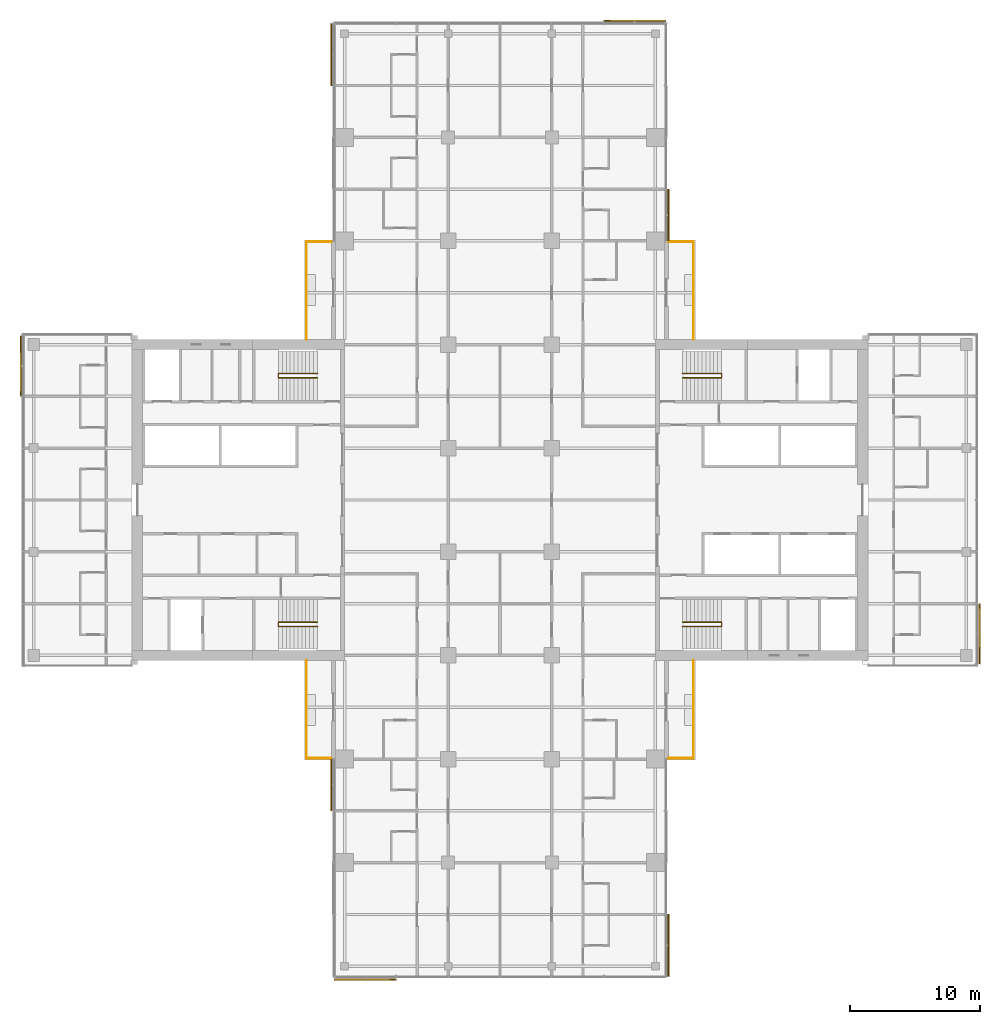
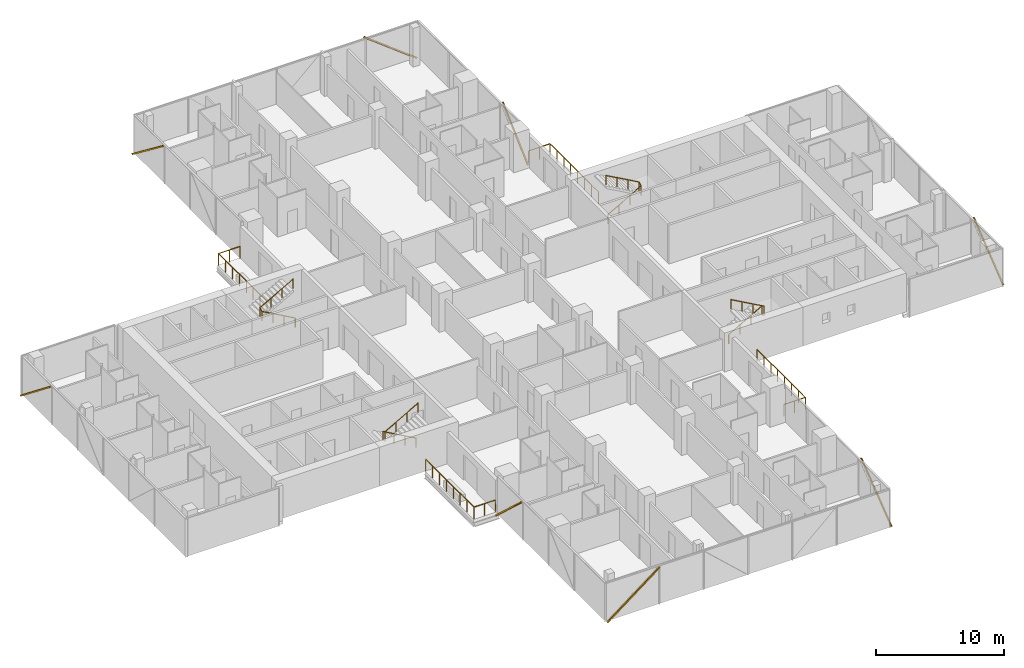
# One storey, part 27 of 27: 8 railings, 8 shading devices, 8 elements without a shape of their own.
"""IFC4 building model written with IfcOpenShell, lengths in metres."""

from ifc_helpers import new_model, si_unit, direction, frame, origin, origin_2d, place, context, subcontext, project, spatial, rectangle, circle, extrude, material, material_profile, profile_set, type_object, element, aggregate, save


model = new_model("IFC4")

# Units and contexts
model_context = context("Model", 3, precision=1e-05, world=origin(), true_north=direction((0.0, 1.0)))
body_context = subcontext(model_context, "Body", "Model", "MODEL_VIEW")
ifc_project = project(units=[si_unit("LENGTHUNIT", "METRE"), si_unit("AREAUNIT", "SQUARE_METRE"), si_unit("VOLUMEUNIT", "CUBIC_METRE"), si_unit("PLANEANGLEUNIT", "RADIAN"), si_unit("MASSUNIT", "GRAM", prefix="KILO")], contexts=[model_context])

# Site, building, storey
site_placement = place(None, origin())
site = spatial("IfcSite", under=ifc_project, at=site_placement, CompositionType="ELEMENT")
building_placement = place(site_placement, origin())
building = spatial("IfcBuilding", under=site, at=building_placement, Name="Crosswind Convention Tower", CompositionType="ELEMENT")
storey_placement = place(building_placement, frame((0.0, 0.0, 72.0)))
storey = spatial("IfcBuildingStorey", under=building, at=storey_placement, Name="L12", CompositionType="ELEMENT", Elevation=72.0)

# Railings
ifc_material_1 = material(Name="Steel and laminated glass balustrade", Category="steel")
railing_type_1 = type_object("IfcRailingType", Name="BALCONY BALUSTRADE 1150", PredefinedType="BALUSTRADE", material=ifc_material_1)
railing_1_placement = place(storey_placement, frame((139.93994140625, 112.39990234375, 0.0)))
element("IfcRailing", 1, at=railing_1_placement, inside=storey, type_object=railing_type_1, Name="R11 balcony balustrade L12 N-E.1-1", PredefinedType="BALUSTRADE", context=body_context, shape_type="SweptSolid", body=[
    extrude(circle(Radius=0.02392578125, at=origin_2d()), frame((0.0, 0.0, 1.1259765625), z_axis=(0.0, 1.0, 0.0), x_axis=(-1.0, 0.0, 0.0)), (0.0, 0.0, 1.0), 7.5400390625),
    extrude(circle(Radius=0.02392578125, at=origin_2d()), frame((0.0, 7.5400390625, 1.1259765625), z_axis=(-1.0, 0.0, 0.0), x_axis=(0.0, -1.0, 0.0)), (0.0, 0.0, 1.0), 1.9189453125),
    extrude(circle(Radius=0.02099609375, at=origin_2d()), origin(), (0.0, 0.0, 1.0), 1.101806640625),
    extrude(circle(Radius=0.02099609375, at=origin_2d()), frame((0.0, 1.0771484375, 0.0)), (0.0, 0.0, 1.0), 1.101806640625),
    extrude(circle(Radius=0.02099609375, at=origin_2d()), frame((0.0, 2.154296875, 0.0)), (0.0, 0.0, 1.0), 1.101806640625),
    extrude(circle(Radius=0.02099609375, at=origin_2d()), frame((0.0, 3.2314453125, 0.0)), (0.0, 0.0, 1.0), 1.101806640625),
    extrude(circle(Radius=0.02099609375, at=origin_2d()), frame((0.0, 4.30859375, 0.0)), (0.0, 0.0, 1.0), 1.101806640625),
    extrude(circle(Radius=0.02099609375, at=origin_2d()), frame((0.0, 5.3857421875, 0.0)), (0.0, 0.0, 1.0), 1.101806640625),
    extrude(circle(Radius=0.02099609375, at=origin_2d()), frame((0.0, 6.462890625, 0.0)), (0.0, 0.0, 1.0), 1.101806640625),
    extrude(circle(Radius=0.02099609375, at=origin_2d()), frame((0.0, 7.5400390625, 0.0)), (0.0, 0.0, 1.0), 1.101806640625),
    extrude(circle(Radius=0.02099609375, at=origin_2d()), frame((-0.95947265625, 7.5400390625, 0.0)), (0.0, 0.0, 1.0), 1.101806640625),
    extrude(circle(Radius=0.02099609375, at=origin_2d()), frame((-1.9189453125, 7.5400390625, 0.0)), (0.0, 0.0, 1.0), 1.101806640625),
])
railing_2_placement = place(storey_placement, frame((110.06005859375, 112.39990234375, 0.0)))
element("IfcRailing", 2, at=railing_2_placement, inside=storey, type_object=railing_type_1, Name="R11 balcony balustrade L12 N-W.1-3", PredefinedType="BALUSTRADE", context=body_context, shape_type="SweptSolid", body=[
    extrude(circle(Radius=0.02392578125, at=origin_2d()), frame((0.0, 0.0, 1.1259765625), z_axis=(0.0, 1.0, 0.0), x_axis=(-1.0, 0.0, 0.0)), (0.0, 0.0, 1.0), 7.5400390625),
    extrude(circle(Radius=0.02392578125, at=origin_2d()), frame((0.0, 7.5400390625, 1.1259765625), z_axis=(1.0, 0.0, 0.0), x_axis=(0.0, 1.0, 0.0)), (0.0, 0.0, 1.0), 1.9189453125),
    extrude(circle(Radius=0.02099609375, at=origin_2d()), origin(), (0.0, 0.0, 1.0), 1.101806640625),
    extrude(circle(Radius=0.02099609375, at=origin_2d()), frame((0.0, 1.0771484375, 0.0)), (0.0, 0.0, 1.0), 1.101806640625),
    extrude(circle(Radius=0.02099609375, at=origin_2d()), frame((0.0, 2.154296875, 0.0)), (0.0, 0.0, 1.0), 1.101806640625),
    extrude(circle(Radius=0.02099609375, at=origin_2d()), frame((0.0, 3.2314453125, 0.0)), (0.0, 0.0, 1.0), 1.101806640625),
    extrude(circle(Radius=0.02099609375, at=origin_2d()), frame((0.0, 4.30859375, 0.0)), (0.0, 0.0, 1.0), 1.101806640625),
    extrude(circle(Radius=0.02099609375, at=origin_2d()), frame((0.0, 5.3857421875, 0.0)), (0.0, 0.0, 1.0), 1.101806640625),
    extrude(circle(Radius=0.02099609375, at=origin_2d()), frame((0.0, 6.462890625, 0.0)), (0.0, 0.0, 1.0), 1.101806640625),
    extrude(circle(Radius=0.02099609375, at=origin_2d()), frame((0.0, 7.5400390625, 0.0)), (0.0, 0.0, 1.0), 1.101806640625),
    extrude(circle(Radius=0.02099609375, at=origin_2d()), frame((0.95947265625, 7.5400390625, 0.0)), (0.0, 0.0, 1.0), 1.101806640625),
    extrude(circle(Radius=0.02099609375, at=origin_2d()), frame((1.9189453125, 7.5400390625, 0.0)), (0.0, 0.0, 1.0), 1.101806640625),
])
railing_3_placement = place(storey_placement, frame((110.06005859375, 87.60009765625, 0.0)))
element("IfcRailing", 3, at=railing_3_placement, inside=storey, type_object=railing_type_1, Name="R11 balcony balustrade L12 S-W.1-1", PredefinedType="BALUSTRADE", context=body_context, shape_type="SweptSolid", body=[
    extrude(circle(Radius=0.02392578125, at=origin_2d()), frame((0.0, 0.0, 1.1259765625), z_axis=(0.0, -1.0, 0.0), x_axis=(1.0, 0.0, 0.0)), (0.0, 0.0, 1.0), 7.5400390625),
    extrude(circle(Radius=0.02392578125, at=origin_2d()), frame((0.0, -7.5400390625, 1.1259765625), z_axis=(1.0, 0.0, 0.0), x_axis=(0.0, 1.0, 0.0)), (0.0, 0.0, 1.0), 1.9189453125),
    extrude(circle(Radius=0.02099609375, at=origin_2d()), origin(), (0.0, 0.0, 1.0), 1.101806640625),
    extrude(circle(Radius=0.02099609375, at=origin_2d()), frame((0.0, -1.0771484375, 0.0)), (0.0, 0.0, 1.0), 1.101806640625),
    extrude(circle(Radius=0.02099609375, at=origin_2d()), frame((0.0, -2.154296875, 0.0)), (0.0, 0.0, 1.0), 1.101806640625),
    extrude(circle(Radius=0.02099609375, at=origin_2d()), frame((0.0, -3.2314453125, 0.0)), (0.0, 0.0, 1.0), 1.101806640625),
    extrude(circle(Radius=0.02099609375, at=origin_2d()), frame((0.0, -4.30859375, 0.0)), (0.0, 0.0, 1.0), 1.101806640625),
    extrude(circle(Radius=0.02099609375, at=origin_2d()), frame((0.0, -5.3857421875, 0.0)), (0.0, 0.0, 1.0), 1.101806640625),
    extrude(circle(Radius=0.02099609375, at=origin_2d()), frame((0.0, -6.462890625, 0.0)), (0.0, 0.0, 1.0), 1.101806640625),
    extrude(circle(Radius=0.02099609375, at=origin_2d()), frame((0.0, -7.5400390625, 0.0)), (0.0, 0.0, 1.0), 1.101806640625),
    extrude(circle(Radius=0.02099609375, at=origin_2d()), frame((0.95947265625, -7.5400390625, 0.0)), (0.0, 0.0, 1.0), 1.101806640625),
    extrude(circle(Radius=0.02099609375, at=origin_2d()), frame((1.9189453125, -7.5400390625, 0.0)), (0.0, 0.0, 1.0), 1.101806640625),
])
railing_4_placement = place(storey_placement, frame((139.93994140625, 87.60009765625, 0.0)))
element("IfcRailing", 4, at=railing_4_placement, inside=storey, type_object=railing_type_1, Name="R11 balcony balustrade L12 S-E.1-3", PredefinedType="BALUSTRADE", context=body_context, shape_type="SweptSolid", body=[
    extrude(circle(Radius=0.02392578125, at=origin_2d()), frame((0.0, 0.0, 1.1259765625), z_axis=(0.0, -1.0, 0.0), x_axis=(1.0, 0.0, 0.0)), (0.0, 0.0, 1.0), 7.5400390625),
    extrude(circle(Radius=0.02392578125, at=origin_2d()), frame((0.0, -7.5400390625, 1.1259765625), z_axis=(-1.0, 0.0, 0.0), x_axis=(0.0, -1.0, 0.0)), (0.0, 0.0, 1.0), 1.9189453125),
    extrude(circle(Radius=0.02099609375, at=origin_2d()), origin(), (0.0, 0.0, 1.0), 1.101806640625),
    extrude(circle(Radius=0.02099609375, at=origin_2d()), frame((0.0, -1.0771484375, 0.0)), (0.0, 0.0, 1.0), 1.101806640625),
    extrude(circle(Radius=0.02099609375, at=origin_2d()), frame((0.0, -2.154296875, 0.0)), (0.0, 0.0, 1.0), 1.101806640625),
    extrude(circle(Radius=0.02099609375, at=origin_2d()), frame((0.0, -3.2314453125, 0.0)), (0.0, 0.0, 1.0), 1.101806640625),
    extrude(circle(Radius=0.02099609375, at=origin_2d()), frame((0.0, -4.30859375, 0.0)), (0.0, 0.0, 1.0), 1.101806640625),
    extrude(circle(Radius=0.02099609375, at=origin_2d()), frame((0.0, -5.3857421875, 0.0)), (0.0, 0.0, 1.0), 1.101806640625),
    extrude(circle(Radius=0.02099609375, at=origin_2d()), frame((0.0, -6.462890625, 0.0)), (0.0, 0.0, 1.0), 1.101806640625),
    extrude(circle(Radius=0.02099609375, at=origin_2d()), frame((0.0, -7.5400390625, 0.0)), (0.0, 0.0, 1.0), 1.101806640625),
    extrude(circle(Radius=0.02099609375, at=origin_2d()), frame((-0.95947265625, -7.5400390625, 0.0)), (0.0, 0.0, 1.0), 1.101806640625),
    extrude(circle(Radius=0.02099609375, at=origin_2d()), frame((-1.9189453125, -7.5400390625, 0.0)), (0.0, 0.0, 1.0), 1.101806640625),
])
ifc_material_2 = material(Name="Stainless steel", Category="steel")
railing_type_2 = type_object("IfcRailingType", Name="Stair handrail 900", PredefinedType="HANDRAIL", material=ifc_material_2)
railing_5_placement = place(storey_placement, frame((139.10009765625, 109.43994140625, 0.168212890625)))
element("IfcRailing", 5, at=railing_5_placement, inside=storey, type_object=railing_type_2, Name="Stair ST1 handrail L12", PredefinedType="HANDRAIL", context=body_context, shape_type="SweptSolid", body=[
    extrude(circle(Radius=0.02392578125, at=origin_2d()), frame((0.0, 0.0, 0.8759765625), z_axis=(0.872272294576, 0.0, 0.489020494575), x_axis=(0.0, 1.0, 0.0)), (0.0, 0.0, 1.0), 3.439208984375),
    extrude(circle(Radius=0.02392578125, at=origin_2d()), frame((3.0, 0.0, 2.5576171875), z_axis=(0.0, 0.885474334664, 0.464688285468), x_axis=(-1.0, 0.0, 0.0)), (0.0, 0.0, 1.0), 0.361572265625),
    extrude(circle(Radius=0.02392578125, at=origin_2d()), frame((3.0, 0.320068359375, 2.7255859375), z_axis=(-0.872272294576, 0.0, 0.489020494575), x_axis=(0.0, -1.0, 0.0)), (0.0, 0.0, 1.0), 3.439208984375),
    extrude(circle(Radius=0.02099609375, at=origin_2d()), origin(), (0.0, 0.0, 1.0), 0.851806640625),
    extrude(circle(Radius=0.02099609375, at=origin_2d()), frame((1.0, 0.0, 0.560546875)), (0.0, 0.0, 1.0), 0.851806640625),
    extrude(circle(Radius=0.02099609375, at=origin_2d()), frame((2.0, 0.0, 1.121337890625)), (0.0, 0.0, 1.0), 0.851806640625),
    extrude(circle(Radius=0.02099609375, at=origin_2d()), frame((3.0, 0.0, 1.681884765625)), (0.0, 0.0, 1.0), 0.851806640625),
    extrude(circle(Radius=0.02099609375, at=origin_2d()), frame((3.0, 0.320068359375, 1.849853515625)), (0.0, 0.0, 1.0), 0.851806640625),
    extrude(circle(Radius=0.02099609375, at=origin_2d()), frame((2.0, 0.320068359375, 2.410400390625)), (0.0, 0.0, 1.0), 0.851806640625),
    extrude(circle(Radius=0.02099609375, at=origin_2d()), frame((1.0, 0.320068359375, 2.97119140625)), (0.0, 0.0, 1.0), 0.851806640625),
    extrude(circle(Radius=0.02099609375, at=origin_2d()), frame((0.0, 0.320068359375, 3.53173828125)), (0.0, 0.0, 1.0), 0.851806640625),
])
railing_6_placement = place(storey_placement, frame((139.10009765625, 90.56005859375, 0.168212890625)))
element("IfcRailing", 6, at=railing_6_placement, inside=storey, type_object=railing_type_2, Name="Stair ST2 handrail L12", PredefinedType="HANDRAIL", context=body_context, shape_type="SweptSolid", body=[
    extrude(circle(Radius=0.02392578125, at=origin_2d()), frame((0.0, 0.0, 0.8759765625), z_axis=(0.872272294576, 0.0, 0.489020494575), x_axis=(0.0, 1.0, 0.0)), (0.0, 0.0, 1.0), 3.439208984375),
    extrude(circle(Radius=0.02392578125, at=origin_2d()), frame((3.0, 0.0, 2.5576171875), z_axis=(0.0, -0.885474334664, 0.464688285468), x_axis=(1.0, 0.0, 0.0)), (0.0, 0.0, 1.0), 0.361572265625),
    extrude(circle(Radius=0.02392578125, at=origin_2d()), frame((3.0, -0.320068359375, 2.7255859375), z_axis=(-0.872272294576, 0.0, 0.489020494575), x_axis=(0.0, -1.0, 0.0)), (0.0, 0.0, 1.0), 3.439208984375),
    extrude(circle(Radius=0.02099609375, at=origin_2d()), origin(), (0.0, 0.0, 1.0), 0.851806640625),
    extrude(circle(Radius=0.02099609375, at=origin_2d()), frame((1.0, 0.0, 0.560546875)), (0.0, 0.0, 1.0), 0.851806640625),
    extrude(circle(Radius=0.02099609375, at=origin_2d()), frame((2.0, 0.0, 1.121337890625)), (0.0, 0.0, 1.0), 0.851806640625),
    extrude(circle(Radius=0.02099609375, at=origin_2d()), frame((3.0, 0.0, 1.681884765625)), (0.0, 0.0, 1.0), 0.851806640625),
    extrude(circle(Radius=0.02099609375, at=origin_2d()), frame((3.0, -0.320068359375, 1.849853515625)), (0.0, 0.0, 1.0), 0.851806640625),
    extrude(circle(Radius=0.02099609375, at=origin_2d()), frame((2.0, -0.320068359375, 2.410400390625)), (0.0, 0.0, 1.0), 0.851806640625),
    extrude(circle(Radius=0.02099609375, at=origin_2d()), frame((1.0, -0.320068359375, 2.97119140625)), (0.0, 0.0, 1.0), 0.851806640625),
    extrude(circle(Radius=0.02099609375, at=origin_2d()), frame((0.0, -0.320068359375, 3.53173828125)), (0.0, 0.0, 1.0), 0.851806640625),
])
railing_7_placement = place(storey_placement, frame((110.89990234375, 90.56005859375, 0.168212890625)))
element("IfcRailing", 7, at=railing_7_placement, inside=storey, type_object=railing_type_2, Name="Stair ST3 handrail L12", PredefinedType="HANDRAIL", context=body_context, shape_type="SweptSolid", body=[
    extrude(circle(Radius=0.02392578125, at=origin_2d()), frame((0.0, 0.0, 0.8759765625), z_axis=(-0.872272294576, 0.0, 0.489020494575), x_axis=(0.0, -1.0, 0.0)), (0.0, 0.0, 1.0), 3.439208984375),
    extrude(circle(Radius=0.02392578125, at=origin_2d()), frame((-3.0, 0.0, 2.5576171875), z_axis=(0.0, -0.885474334664, 0.464688285468), x_axis=(1.0, 0.0, 0.0)), (0.0, 0.0, 1.0), 0.361572265625),
    extrude(circle(Radius=0.02392578125, at=origin_2d()), frame((-3.0, -0.320068359375, 2.7255859375), z_axis=(0.872272294576, 0.0, 0.489020494575), x_axis=(0.0, 1.0, 0.0)), (0.0, 0.0, 1.0), 3.439208984375),
    extrude(circle(Radius=0.02099609375, at=origin_2d()), origin(), (0.0, 0.0, 1.0), 0.851806640625),
    extrude(circle(Radius=0.02099609375, at=origin_2d()), frame((-1.0, 0.0, 0.560546875)), (0.0, 0.0, 1.0), 0.851806640625),
    extrude(circle(Radius=0.02099609375, at=origin_2d()), frame((-2.0, 0.0, 1.121337890625)), (0.0, 0.0, 1.0), 0.851806640625),
    extrude(circle(Radius=0.02099609375, at=origin_2d()), frame((-3.0, 0.0, 1.681884765625)), (0.0, 0.0, 1.0), 0.851806640625),
    extrude(circle(Radius=0.02099609375, at=origin_2d()), frame((-3.0, -0.320068359375, 1.849853515625)), (0.0, 0.0, 1.0), 0.851806640625),
    extrude(circle(Radius=0.02099609375, at=origin_2d()), frame((-2.0, -0.320068359375, 2.410400390625)), (0.0, 0.0, 1.0), 0.851806640625),
    extrude(circle(Radius=0.02099609375, at=origin_2d()), frame((-1.0, -0.320068359375, 2.97119140625)), (0.0, 0.0, 1.0), 0.851806640625),
    extrude(circle(Radius=0.02099609375, at=origin_2d()), frame((0.0, -0.320068359375, 3.53173828125)), (0.0, 0.0, 1.0), 0.851806640625),
])
railing_8_placement = place(storey_placement, frame((110.89990234375, 109.43994140625, 0.168212890625)))
element("IfcRailing", 8, at=railing_8_placement, inside=storey, type_object=railing_type_2, Name="Stair ST4 handrail L12", PredefinedType="HANDRAIL", context=body_context, shape_type="SweptSolid", body=[
    extrude(circle(Radius=0.02392578125, at=origin_2d()), frame((0.0, 0.0, 0.8759765625), z_axis=(-0.872272294576, 0.0, 0.489020494575), x_axis=(0.0, -1.0, 0.0)), (0.0, 0.0, 1.0), 3.439208984375),
    extrude(circle(Radius=0.02392578125, at=origin_2d()), frame((-3.0, 0.0, 2.5576171875), z_axis=(0.0, 0.885474334664, 0.464688285468), x_axis=(-1.0, 0.0, 0.0)), (0.0, 0.0, 1.0), 0.361572265625),
    extrude(circle(Radius=0.02392578125, at=origin_2d()), frame((-3.0, 0.320068359375, 2.7255859375), z_axis=(0.872272294576, 0.0, 0.489020494575), x_axis=(0.0, 1.0, 0.0)), (0.0, 0.0, 1.0), 3.439208984375),
    extrude(circle(Radius=0.02099609375, at=origin_2d()), origin(), (0.0, 0.0, 1.0), 0.851806640625),
    extrude(circle(Radius=0.02099609375, at=origin_2d()), frame((-1.0, 0.0, 0.560546875)), (0.0, 0.0, 1.0), 0.851806640625),
    extrude(circle(Radius=0.02099609375, at=origin_2d()), frame((-2.0, 0.0, 1.121337890625)), (0.0, 0.0, 1.0), 0.851806640625),
    extrude(circle(Radius=0.02099609375, at=origin_2d()), frame((-3.0, 0.0, 1.681884765625)), (0.0, 0.0, 1.0), 0.851806640625),
    extrude(circle(Radius=0.02099609375, at=origin_2d()), frame((-3.0, 0.320068359375, 1.849853515625)), (0.0, 0.0, 1.0), 0.851806640625),
    extrude(circle(Radius=0.02099609375, at=origin_2d()), frame((-2.0, 0.320068359375, 2.410400390625)), (0.0, 0.0, 1.0), 0.851806640625),
    extrude(circle(Radius=0.02099609375, at=origin_2d()), frame((-1.0, 0.320068359375, 2.97119140625)), (0.0, 0.0, 1.0), 0.851806640625),
    extrude(circle(Radius=0.02099609375, at=origin_2d()), frame((0.0, 0.320068359375, 3.53173828125)), (0.0, 0.0, 1.0), 0.851806640625),
])

# Curtain wall, shading device
ifc_material_3 = material(Name="Aluminium unitised curtain wall", Category="aluminium")
curtain_wall_type = type_object("IfcCurtainWallType", Name="HOTEL UNITISED WALL 200", PredefinedType="USERDEFINED", material=ifc_material_3)
curtain_wall_1_placement = place(storey_placement, origin())
curtain_wall_1 = element("IfcCurtainWall", 9, at=curtain_wall_1_placement, inside=storey, type_object=curtain_wall_type, Name="CW2 L12 E-TIP 1", ObjectType="UNITISED", PredefinedType="USERDEFINED")
ifc_material_4 = material(Name="Extruded terracotta", Category="masonry")
ifc_material_profile = material_profile(ifc_material_4, rectangle(XDim=0.10009765625, YDim=0.1201171875, at=origin_2d()), Name="TC 100X120")
ifc_profile_set = profile_set([ifc_material_profile], Name="Extruded terracotta")
shading_device_type = type_object("IfcShadingDeviceType", Name="TERRACOTTA BAGUETTE 120X100", PredefinedType="USERDEFINED", material=ifc_profile_set)
shading_device_1_placement = place(storey_placement, frame((162.008056640625, 87.364990234375, -0.280029296875), z_axis=(0.0, 0.784764474718, 0.619794094212), x_axis=(-1.0, 0.0, 0.0)))
shading_device_1 = element("IfcShadingDevice", 10, at=shading_device_1_placement, type_object=shading_device_type, Name="CW2 terracotta baguette 1", ObjectType="BAGUETTE", PredefinedType="USERDEFINED", context=body_context, shape_type="SweptSolid", body=[
    extrude(rectangle(XDim=0.10009765625, YDim=0.1201171875, at=origin_2d()), origin(), (0.0, 0.0, 1.0), 5.86474609375),
])
aggregate(curtain_wall_1, [shading_device_1])

curtain_wall_2_placement = place(storey_placement, origin())
curtain_wall_2 = element("IfcCurtainWall", 11, at=curtain_wall_2_placement, inside=storey, type_object=curtain_wall_type, Name="CW2 L12 N-E 1", ObjectType="UNITISED", PredefinedType="USERDEFINED")
shading_device_2_placement = place(storey_placement, frame((138.008056640625, 120.032470703125, -0.280029296875), z_axis=(0.0, 0.734557036047, 0.678546948114), x_axis=(-1.0, 0.0, 0.0)))
shading_device_2 = element("IfcShadingDevice", 12, at=shading_device_2_placement, type_object=shading_device_type, Name="CW2 terracotta baguette 1", ObjectType="BAGUETTE", PredefinedType="USERDEFINED", context=body_context, shape_type="SweptSolid", body=[
    extrude(rectangle(XDim=0.10009765625, YDim=0.1201171875, at=origin_2d()), origin(), (0.0, 0.0, 1.0), 5.35693359375),
])
aggregate(curtain_wall_2, [shading_device_2])

curtain_wall_3_placement = place(storey_placement, origin())
curtain_wall_3 = element("IfcCurtainWall", 13, at=curtain_wall_3_placement, inside=storey, type_object=curtain_wall_type, Name="CW2 L12 N-TIP 1", ObjectType="UNITISED", PredefinedType="USERDEFINED")
shading_device_3_placement = place(storey_placement, frame((137.767578125, 137.008056640625, -0.280029296875), z_axis=(-0.793221117913, 0.0, 0.608933705831), x_axis=(0.0, -1.0, 0.0)))
shading_device_3 = element("IfcShadingDevice", 14, at=shading_device_3_placement, type_object=shading_device_type, Name="CW2 terracotta baguette 1", ObjectType="BAGUETTE", PredefinedType="USERDEFINED", context=body_context, shape_type="SweptSolid", body=[
    extrude(rectangle(XDim=0.10009765625, YDim=0.1201171875, at=origin_2d()), origin(), (0.0, 0.0, 1.0), 5.969482421875),
])
aggregate(curtain_wall_3, [shading_device_3])

curtain_wall_4_placement = place(storey_placement, origin())
curtain_wall_4 = element("IfcCurtainWall", 15, at=curtain_wall_4_placement, inside=storey, type_object=curtain_wall_type, Name="CW2 L12 N-W 1", ObjectType="UNITISED", PredefinedType="USERDEFINED")
shading_device_4_placement = place(storey_placement, frame((111.991943359375, 136.767578125, -0.280029296875), z_axis=(0.0, -0.793221117913, 0.608933705831), x_axis=(1.0, 0.0, 0.0)))
shading_device_4 = element("IfcShadingDevice", 16, at=shading_device_4_placement, type_object=shading_device_type, Name="CW2 terracotta baguette 1", ObjectType="BAGUETTE", PredefinedType="USERDEFINED", context=body_context, shape_type="SweptSolid", body=[
    extrude(rectangle(XDim=0.10009765625, YDim=0.1201171875, at=origin_2d()), origin(), (0.0, 0.0, 1.0), 5.969482421875),
])
aggregate(curtain_wall_4, [shading_device_4])

curtain_wall_5_placement = place(storey_placement, origin())
curtain_wall_5 = element("IfcCurtainWall", 17, at=curtain_wall_5_placement, inside=storey, type_object=curtain_wall_type, Name="CW2 L12 W-TIP 1", ObjectType="UNITISED", PredefinedType="USERDEFINED")
shading_device_5_placement = place(storey_placement, frame((87.991943359375, 112.635009765625, -0.280029296875), z_axis=(0.0, -0.784764474718, 0.619794094212), x_axis=(1.0, 0.0, 0.0)))
shading_device_5 = element("IfcShadingDevice", 18, at=shading_device_5_placement, type_object=shading_device_type, Name="CW2 terracotta baguette 1", ObjectType="BAGUETTE", PredefinedType="USERDEFINED", context=body_context, shape_type="SweptSolid", body=[
    extrude(rectangle(XDim=0.10009765625, YDim=0.1201171875, at=origin_2d()), origin(), (0.0, 0.0, 1.0), 5.86474609375),
])
aggregate(curtain_wall_5, [shading_device_5])

curtain_wall_6_placement = place(storey_placement, origin())
curtain_wall_6 = element("IfcCurtainWall", 19, at=curtain_wall_6_placement, inside=storey, type_object=curtain_wall_type, Name="CW2 L12 S-W 1", ObjectType="UNITISED", PredefinedType="USERDEFINED")
shading_device_6_placement = place(storey_placement, frame((111.991943359375, 79.967529296875, -0.280029296875), z_axis=(0.0, -0.734557036047, 0.678546948114), x_axis=(1.0, 0.0, 0.0)))
shading_device_6 = element("IfcShadingDevice", 20, at=shading_device_6_placement, type_object=shading_device_type, Name="CW2 terracotta baguette 1", ObjectType="BAGUETTE", PredefinedType="USERDEFINED", context=body_context, shape_type="SweptSolid", body=[
    extrude(rectangle(XDim=0.10009765625, YDim=0.1201171875, at=origin_2d()), origin(), (0.0, 0.0, 1.0), 5.35693359375),
])
aggregate(curtain_wall_6, [shading_device_6])

curtain_wall_7_placement = place(storey_placement, origin())
curtain_wall_7 = element("IfcCurtainWall", 21, at=curtain_wall_7_placement, inside=storey, type_object=curtain_wall_type, Name="CW2 L12 S-TIP 1", ObjectType="UNITISED", PredefinedType="USERDEFINED")
shading_device_7_placement = place(storey_placement, frame((112.232421875, 62.991943359375, -0.280029296875), z_axis=(0.793221117913, 0.0, 0.608933705831), x_axis=(0.0, 1.0, 0.0)))
shading_device_7 = element("IfcShadingDevice", 22, at=shading_device_7_placement, type_object=shading_device_type, Name="CW2 terracotta baguette 1", ObjectType="BAGUETTE", PredefinedType="USERDEFINED", context=body_context, shape_type="SweptSolid", body=[
    extrude(rectangle(XDim=0.10009765625, YDim=0.1201171875, at=origin_2d()), origin(), (0.0, 0.0, 1.0), 5.969482421875),
])
aggregate(curtain_wall_7, [shading_device_7])

curtain_wall_8_placement = place(storey_placement, origin())
curtain_wall_8 = element("IfcCurtainWall", 23, at=curtain_wall_8_placement, inside=storey, type_object=curtain_wall_type, Name="CW2 L12 S-E 1", ObjectType="UNITISED", PredefinedType="USERDEFINED")
shading_device_8_placement = place(storey_placement, frame((138.008056640625, 63.232421875, -0.280029296875), z_axis=(0.0, 0.793221117913, 0.608933705831), x_axis=(-1.0, 0.0, 0.0)))
shading_device_8 = element("IfcShadingDevice", 24, at=shading_device_8_placement, type_object=shading_device_type, Name="CW2 terracotta baguette 1", ObjectType="BAGUETTE", PredefinedType="USERDEFINED", context=body_context, shape_type="SweptSolid", body=[
    extrude(rectangle(XDim=0.10009765625, YDim=0.1201171875, at=origin_2d()), origin(), (0.0, 0.0, 1.0), 5.969482421875),
])
aggregate(curtain_wall_8, [shading_device_8])

save(model, "model.ifc")
